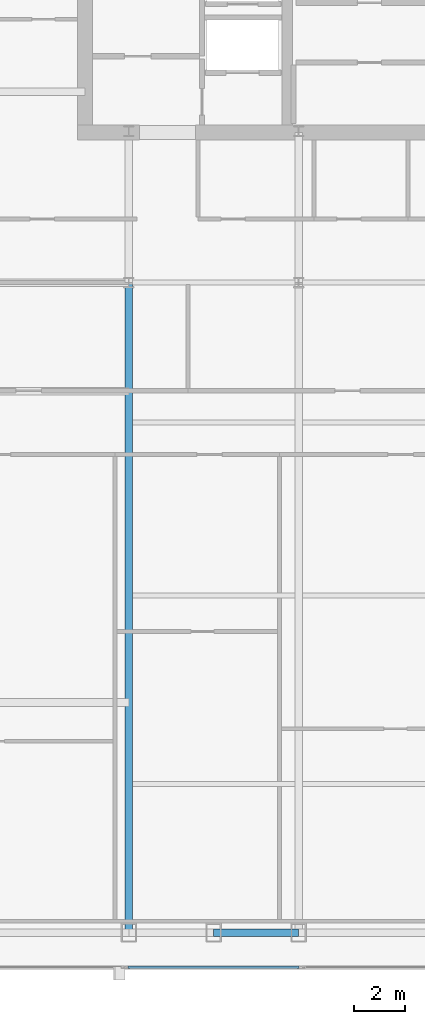
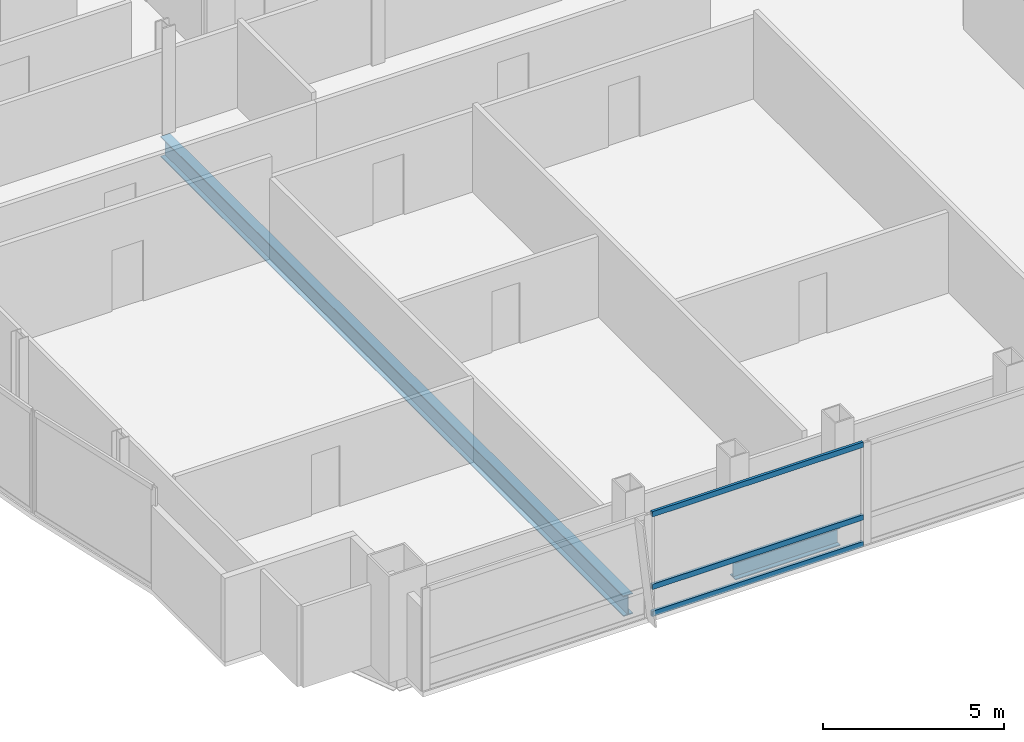
# One storey, part 7 of 30: 3 members, 2 beams, 1 element without a shape of its own.
"""IFC4 building model written with IfcOpenShell, lengths in metres."""

from ifc_helpers import new_model, si_unit, direction, frame, origin, origin_2d, place, context, subcontext, project, spatial, hollow_rectangle, i_section, extrude, material, material_profile, profile_set, type_object, element, aggregate, save


model = new_model("IFC4")

# Units and contexts
model_context = context("Model", 3, precision=1e-05, world=origin(), true_north=direction((0.0, 1.0)))
body_context = subcontext(model_context, "Body", "Model", "MODEL_VIEW")
ifc_project = project(units=[si_unit("LENGTHUNIT", "METRE"), si_unit("AREAUNIT", "SQUARE_METRE"), si_unit("VOLUMEUNIT", "CUBIC_METRE"), si_unit("PLANEANGLEUNIT", "RADIAN"), si_unit("MASSUNIT", "GRAM", prefix="KILO")], contexts=[model_context])

# Site, building, storey
site_placement = place(None, origin())
site = spatial("IfcSite", under=ifc_project, at=site_placement, CompositionType="ELEMENT")
building_placement = place(site_placement, origin())
building = spatial("IfcBuilding", under=site, at=building_placement, Name="Khoronbel Lancet Exchange", CompositionType="ELEMENT")
storey_placement = place(building_placement, frame((0.0, 0.0, 213.800048828125)))
storey = spatial("IfcBuildingStorey", under=building, at=storey_placement, Name="L54", CompositionType="ELEMENT", Elevation=213.800048828125)

# Beams
ifc_material_1 = material(Name="Steel S355", Category="steel")
ifc_material_profile_1 = material_profile(ifc_material_1, i_section(OverallWidth=0.300048828125, OverallDepth=0.699951171875, WebThickness=0.01708984375, FlangeThickness=0.031982421875, at=origin_2d()), Name="HEB 700")
ifc_profile_set_1 = profile_set([ifc_material_profile_1], Name="Steel S355")
beam_type_1 = type_object("IfcBeamType", Name="BM-BG3", PredefinedType="BEAM", material=ifc_profile_set_1)
beam_1_placement = place(storey_placement, frame((18.22509765625, 10.14990234375, -0.510009765625), z_axis=(0.0, 1.0, 0.0), x_axis=(-1.0, 0.0, 0.0)))
element("IfcBeam", 1, at=beam_1_placement, inside=storey, type_object=beam_type_1, Name="Level L54 south primary girder GS1", PredefinedType="BEAM", context=body_context, shape_type="SweptSolid", body=[
    extrude(i_section(OverallWidth=0.300048828125, OverallDepth=0.699951171875, WebThickness=0.01708984375, FlangeThickness=0.031982421875, at=origin_2d()), origin(), (0.0, 0.0, 1.0), 25.550048828125),
])
ifc_material_profile_2 = material_profile(ifc_material_1, i_section(OverallWidth=0.300048828125, OverallDepth=0.60009765625, WebThickness=0.015380859375, FlangeThickness=0.030029296875, at=origin_2d()), Name="HEB 600")
ifc_profile_set_2 = profile_set([ifc_material_profile_2], Name="Steel S355")
beam_type_2 = type_object("IfcBeamType", Name="BM-BSP2", PredefinedType="SPANDREL", material=ifc_profile_set_2)
beam_2_placement = place(storey_placement, frame((21.5625, 10.14990234375, -0.4599609375), z_axis=(1.0, 0.0, 0.0), x_axis=(0.0, 1.0, 0.0)))
element("IfcBeam", 2, at=beam_2_placement, inside=storey, type_object=beam_type_2, Name="Level L54 perimeter spandrel beam SP03", PredefinedType="SPANDREL", context=body_context, shape_type="SweptSolid", body=[
    extrude(i_section(OverallWidth=0.300048828125, OverallDepth=0.60009765625, WebThickness=0.015380859375, FlangeThickness=0.030029296875, at=origin_2d()), origin(), (0.0, 0.0, 1.0), 3.33740234375),
])

# Curtain wall, members
ifc_material_2 = material(Name="Low-E Solar Control Insulating Glass", Category="glass")
curtain_wall_type = type_object("IfcCurtainWallType", Name="CW-3", PredefinedType="NOTDEFINED", material=ifc_material_2)
curtain_wall_placement = place(storey_placement, origin())
curtain_wall = element("IfcCurtainWall", 3, at=curtain_wall_placement, inside=storey, type_object=curtain_wall_type, Name="Unitised curtain wall CW-L54-SWB", PredefinedType="NOTDEFINED")
ifc_material_3 = material(Name="Bronze-Anodised Aluminium 6063-T6", Category="aluminium")
ifc_material_profile_3 = material_profile(ifc_material_3, hollow_rectangle(XDim=0.0849609375, YDim=0.179931640625, WallThickness=0.0048828125, at=origin_2d()), Name="ALU TRANSOM 85x180")
ifc_profile_set_3 = profile_set([ifc_material_profile_3], Name="Bronze-Anodised Aluminium 6063-T6")
member_type = type_object("IfcMemberType", Name="MEM-CWT1", PredefinedType="USERDEFINED", material=ifc_profile_set_3)
member_1_placement = place(storey_placement, frame((18.18505859375, 8.7900390625, 0.04248046875), z_axis=(1.0, 0.0, 0.0), x_axis=(0.0, 1.0, 0.0)))
member_1 = element("IfcMember", 4, at=member_1_placement, type_object=member_type, Name="CW3 transom 1.1", ObjectType="TRANSOM", PredefinedType="USERDEFINED", context=body_context, shape_type="SweptSolid", body=[
    extrude(hollow_rectangle(XDim=0.0849609375, YDim=0.179931640625, WallThickness=0.0048828125, at=origin_2d()), origin(), (0.0, 0.0, 1.0), 6.72998046875),
])
member_2_placement = place(storey_placement, frame((18.18505859375, 8.7900390625, 0.949951171875), z_axis=(1.0, 0.0, 0.0), x_axis=(0.0, 1.0, 0.0)))
member_2 = element("IfcMember", 5, at=member_2_placement, type_object=member_type, Name="CW3 transom 1.2", ObjectType="TRANSOM", PredefinedType="USERDEFINED", context=body_context, shape_type="SweptSolid", body=[
    extrude(hollow_rectangle(XDim=0.0849609375, YDim=0.179931640625, WallThickness=0.0048828125, at=origin_2d()), origin(), (0.0, 0.0, 1.0), 6.72998046875),
])
member_3_placement = place(storey_placement, frame((18.18505859375, 8.7900390625, 3.3974609375), z_axis=(1.0, 0.0, 0.0), x_axis=(0.0, 1.0, 0.0)))
member_3 = element("IfcMember", 6, at=member_3_placement, type_object=member_type, Name="CW3 transom 1.3", ObjectType="TRANSOM", PredefinedType="USERDEFINED", context=body_context, shape_type="SweptSolid", body=[
    extrude(hollow_rectangle(XDim=0.0849609375, YDim=0.179931640625, WallThickness=0.0048828125, at=origin_2d()), origin(), (0.0, 0.0, 1.0), 6.72998046875),
])
aggregate(curtain_wall, [member_1, member_2, member_3])

save(model, "model.ifc")
